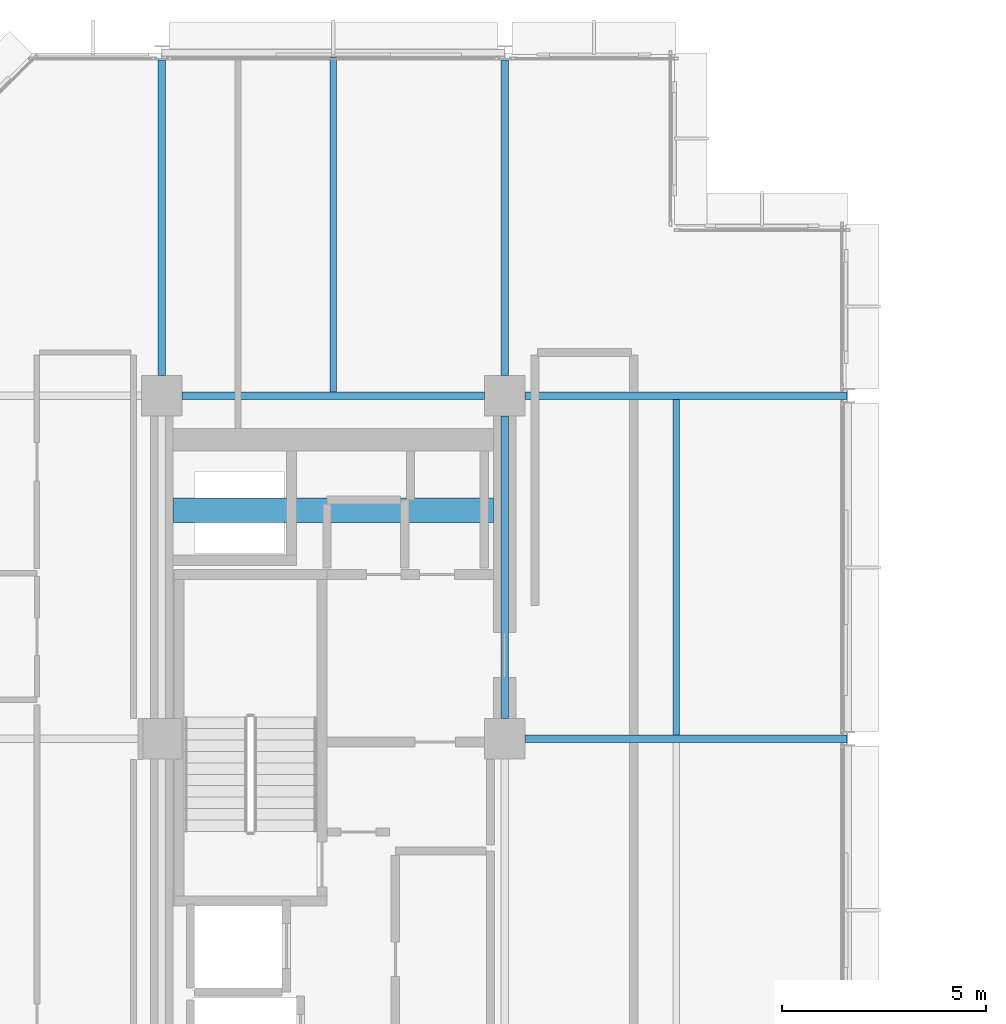
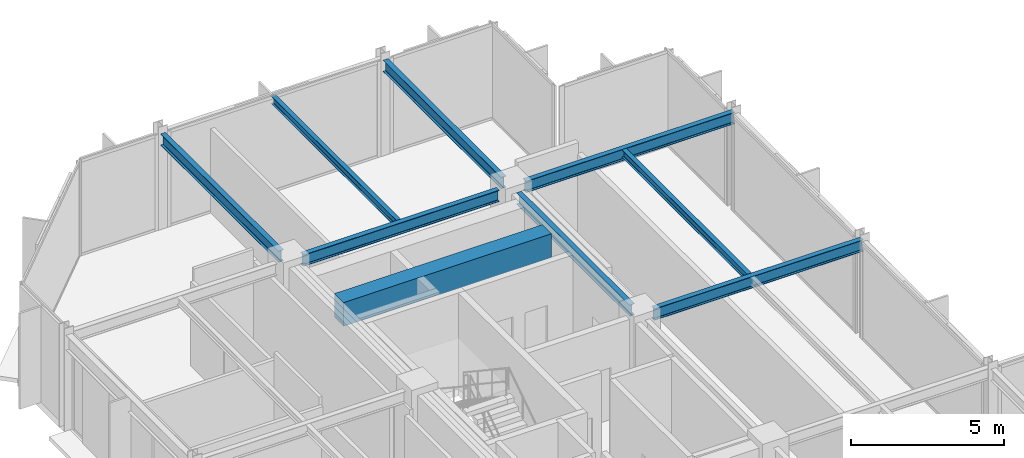
# One storey, part 18 of 30: 9 beams.
"""IFC4 building model written with IfcOpenShell, lengths in metres."""

import ifcopenshell
import ifcopenshell.guid

model = None  # the IFC model being written
_history = None  # IfcOwnerHistory: only IFC2X3 demands one
_inside = {}  # id of a spatial element -> (the spatial element, [elements in it])
_under = {}  # id of a project, library or spatial element -> (it, [spatial elements below it])
_declared = {}  # id of a project -> (the project, [libraries it declares])
_typed = {}  # id of a type object -> (the type object, [elements of that type])
_made_of = {}  # id of a material, layer set ... -> (it, [elements and type objects made of it])


def new_model(schema):
    """Start an empty IFC model of exactly this schema.

    Asked for "IFC4X3", IfcOpenShell would pick the latest addendum, in which some entities
    have other attributes; the version numbers below select the first issue.
    IFC2X3 requires an IfcOwnerHistory on every rooted entity: one is made here for all.
    """
    global model, _history
    if schema == "IFC4X3":
        model = ifcopenshell.file(schema_version=(4, 3, 0, 0))
    else:
        model = ifcopenshell.file(schema=schema)
    _inside.clear()
    _under.clear()
    _declared.clear()
    _typed.clear()
    _made_of.clear()
    _history = None
    if model.schema == "IFC2X3":
        org = make("IfcOrganization", Name="unknown")
        user = make(
            "IfcPersonAndOrganization",
            ThePerson=make("IfcPerson", FamilyName="unknown"),
            TheOrganization=org,
        )
        app = make(
            "IfcApplication",
            ApplicationDeveloper=org,
            Version="unknown",
            ApplicationFullName="unknown",
            ApplicationIdentifier="unknown",
        )
        _history = make(
            "IfcOwnerHistory",
            OwningUser=user,
            OwningApplication=app,
            ChangeAction="ADDED",
            CreationDate=0,
        )
    return model


def make(cls, **values):
    """One entity of the class cls with the attributes given. An attribute that is None is left unset."""
    return model.create_entity(
        cls, **{name: value for name, value in values.items() if value is not None}
    )


def rooted(cls, **values):
    """An entity with a GlobalId (a new one), such as an element, a storey or a relation."""
    return make(cls, GlobalId=ifcopenshell.guid.new(), OwnerHistory=_history, **values)


def si_unit(unit_type, name, prefix=None):
    """IfcSIUnit, for example si_unit("LENGTHUNIT", "METRE", prefix="MILLI")."""
    return make("IfcSIUnit", UnitType=unit_type, Prefix=prefix, Name=name)


def assignment(units):
    """IfcUnitAssignment: the units of a project."""
    return None if units is None else make("IfcUnitAssignment", Units=units)


def point(xyz):
    """IfcCartesianPoint."""
    return None if xyz is None else make("IfcCartesianPoint", Coordinates=xyz)


def direction(xyz):
    """IfcDirection."""
    return None if xyz is None else make("IfcDirection", DirectionRatios=xyz)


def frame(location, z_axis=None, x_axis=None):
    """IfcAxis2Placement3D, a coordinate frame: its origin and axes. An axis left out is left unset."""
    return make(
        "IfcAxis2Placement3D",
        Location=point(location),
        Axis=direction(z_axis),
        RefDirection=direction(x_axis),
    )


def frame_2d(location, x_axis=None):
    """IfcAxis2Placement2D, a coordinate frame in the plane: its origin and x axis."""
    return make(
        "IfcAxis2Placement2D", Location=point(location), RefDirection=direction(x_axis)
    )


def origin():
    """The frame at (0, 0, 0) with its axes left unset."""
    return frame((0.0, 0.0, 0.0))


def origin_2d():
    """The frame at (0, 0) in the plane with its x axis left unset."""
    return frame_2d((0.0, 0.0))


def place(relative_to, where):
    """IfcLocalPlacement: puts the frame where relative to a parent placement (None: the world)."""
    return make(
        "IfcLocalPlacement", PlacementRelTo=relative_to, RelativePlacement=where
    )


def context(
    kind, dimensions, precision=None, world=None, true_north=None, identifier=None
):
    """IfcGeometricRepresentationContext, for example the 3D "Model" context."""
    return make(
        "IfcGeometricRepresentationContext",
        ContextIdentifier=identifier,
        ContextType=kind,
        CoordinateSpaceDimension=dimensions,
        Precision=precision,
        WorldCoordinateSystem=world,
        TrueNorth=true_north,
    )


def subcontext(parent, identifier, kind, view, scale=None):
    """IfcGeometricRepresentationSubContext, for example "Body" below "Model"."""
    return make(
        "IfcGeometricRepresentationSubContext",
        ContextIdentifier=identifier,
        ContextType=kind,
        ParentContext=parent,
        TargetScale=scale,
        TargetView=view,
    )


def project(units=None, contexts=None):
    """IfcProject with its units and contexts."""
    return rooted(
        "IfcProject",
        Name="project",
        RepresentationContexts=contexts,
        UnitsInContext=assignment(units),
    )


def spatial(cls, under=None, at=None, **own):
    """A site, building, storey or space (cls), placed at a placement, below another one or the project."""
    s = rooted(cls, ObjectPlacement=at, **own)
    if under is not None:
        _under.setdefault(under.id(), (under, []))[1].append(s)
    return s


def profile(cls, at=None, kind="AREA", **sizes):
    """A parametric profile (cls). Its sizes go by their IFC names, for example OverallWidth=200.0."""
    return make(cls, ProfileType=kind, Position=at, **sizes)


def rectangle(**sizes):
    """IfcRectangleProfileDef."""
    return profile("IfcRectangleProfileDef", **sizes)


def i_section(**sizes):
    """IfcIShapeProfileDef."""
    return profile("IfcIShapeProfileDef", **sizes)


def extrude(swept, where, along, depth):
    """IfcExtrudedAreaSolid: the profile swept, set in the frame where, extruded along a direction by depth."""
    return make(
        "IfcExtrudedAreaSolid",
        SweptArea=swept,
        Position=where,
        ExtrudedDirection=direction(along),
        Depth=depth,
    )


def shape(context_of_items, identifier, shape_type, items):
    """IfcShapeRepresentation: the items that make up one representation, for example the "Body"."""
    return make(
        "IfcShapeRepresentation",
        ContextOfItems=context_of_items,
        RepresentationIdentifier=identifier,
        RepresentationType=shape_type,
        Items=items,
    )


def material(Name=None, Category=None):
    """IfcMaterial."""
    return make("IfcMaterial", Name=Name, Category=Category)


def material_profile(
    of_material, cross_section, Name=None, Category=None, Priority=None
):
    """IfcMaterialProfile: a cross section and its material."""
    return make(
        "IfcMaterialProfile",
        Name=Name,
        Material=of_material,
        Profile=cross_section,
        Priority=Priority,
        Category=Category,
    )


def profile_set(profiles, Name=None, composite=None):
    """IfcMaterialProfileSet."""
    return make(
        "IfcMaterialProfileSet",
        Name=Name,
        MaterialProfiles=profiles,
        CompositeProfile=composite,
    )


def made_of(thing, what):
    """Note that an element or type object is made of a material, layer set ...; save() writes the relation."""
    if what is not None:
        _made_of.setdefault(what.id(), (what, []))[1].append(thing)
    return thing


def type_object(cls, material=None, **own):
    """A type object (cls), such as IfcWallType, which elements share."""
    return made_of(rooted(cls, **own), material)


def element(
    cls,
    number,
    at=None,
    inside=None,
    cuts=None,
    type_object=None,
    material=None,
    context=None,
    identifier="Body",
    shape_type=None,
    held_by="IfcProductDefinitionShape",
    body=None,
    shapes=None,
    **own,
):
    """One element of the class cls, such as IfcWall. Its Tag is "e" and its number.

    at: its placement. inside: the storey or other place that contains it. cuts: it is an
    opening in that element (IfcRelVoidsElement). A single representation is given by context,
    identifier, shape_type and body (its items); several are given by shapes. held_by: the class
    of the entity that holds the representations. save() writes the other relations.
    """
    e = rooted(cls, Tag="e%d" % number, ObjectPlacement=at, **own)
    if body is not None:
        shapes = [shape(context, identifier, shape_type, body)]
    if shapes is not None:
        e.Representation = make(held_by, Representations=shapes)
    if inside is not None:
        _inside.setdefault(inside.id(), (inside, []))[1].append(e)
    if cuts is not None:
        rooted(
            "IfcRelVoidsElement", RelatingBuildingElement=cuts, RelatedOpeningElement=e
        )
    if type_object is not None:
        _typed.setdefault(type_object.id(), (type_object, []))[1].append(e)
    return made_of(e, material)


def aggregate(whole, parts):
    """IfcRelAggregates: a whole, such as a stair, and the parts it consists of."""
    return rooted("IfcRelAggregates", RelatingObject=whole, RelatedObjects=parts)


def save(model, path):
    """Write the relations noted so far, then the file.

    IfcRelAggregates (storeys below a building ...), IfcRelContainedInSpatialStructure (elements
    in a storey), IfcRelDefinesByType, IfcRelAssociatesMaterial and IfcRelDeclares: one each for
    every whole, place, type object, material and project.
    """
    for whole, parts in _under.values():
        aggregate(whole, parts)
    for where, things in _inside.values():
        rooted(
            "IfcRelContainedInSpatialStructure",
            RelatedElements=things,
            RelatingStructure=where,
        )
    for kind, things in _typed.values():
        rooted("IfcRelDefinesByType", RelatedObjects=things, RelatingType=kind)
    for what, things in _made_of.values():
        rooted("IfcRelAssociatesMaterial", RelatedObjects=things, RelatingMaterial=what)
    for by, libraries in _declared.values():
        rooted("IfcRelDeclares", RelatingContext=by, RelatedDefinitions=libraries)
    model.write(path)


model = new_model("IFC4")

# Units and contexts
model_context = context("Model", 3, precision=1e-05, world=origin(), true_north=direction((0.0, 1.0)))
body_context = subcontext(model_context, "Body", "Model", "MODEL_VIEW")
ifc_project = project(units=[si_unit("LENGTHUNIT", "METRE"), si_unit("AREAUNIT", "SQUARE_METRE"), si_unit("VOLUMEUNIT", "CUBIC_METRE"), si_unit("PLANEANGLEUNIT", "RADIAN"), si_unit("MASSUNIT", "GRAM", prefix="KILO")], contexts=[model_context])

# Site, building, storey
site_placement = place(None, origin())
site = spatial("IfcSite", under=ifc_project, at=site_placement, CompositionType="ELEMENT")
building_placement = place(site_placement, origin())
building = spatial("IfcBuilding", under=site, at=building_placement, Name="Nerrivon Quay Data Exchange", CompositionType="ELEMENT")
storey_placement = place(building_placement, frame((0.0, 0.0, 171.39990234375)))
storey = spatial("IfcBuildingStorey", under=building, at=storey_placement, Name="L40", CompositionType="ELEMENT", Elevation=171.39990234375)

# Beams
ifc_material_1 = material(Name="Concrete N50 (50 MPa)", Category="concrete")
ifc_material_profile_1 = material_profile(ifc_material_1, rectangle(XDim=0.60009765625, YDim=0.949951171875, at=origin_2d()), Name="RC-CB-600x950")
ifc_profile_set_1 = profile_set([ifc_material_profile_1], Name="Concrete N50 (50 MPa)")
beam_type_1 = type_object("IfcBeamType", Name="BM-CB2-600x950", PredefinedType="LINTEL", material=ifc_profile_set_1)
beam_1_placement = place(storey_placement, frame((8.675048828125, 39.199951171875, 3.35009765625), z_axis=(1.0, 0.0, 0.0), x_axis=(0.0, 1.0, 0.0)))
element("IfcBeam", 1, at=beam_1_placement, inside=storey, type_object=beam_type_1, Name="L40 West Core Coupling Beam", PredefinedType="LINTEL", context=body_context, shape_type="SweptSolid", body=[
    extrude(rectangle(XDim=0.60009765625, YDim=0.949951171875, at=origin_2d()), origin(), (0.0, 0.0, 1.0), 7.849853515625),
])
ifc_material_2 = material(Name="Steel Grade 350", Category="steel")
ifc_material_profile_2 = material_profile(ifc_material_2, i_section(OverallWidth=0.19091796875, OverallDepth=0.4599609375, WebThickness=0.010009765625, FlangeThickness=0.01611328125, FilletRadius=0.011474609375, at=origin_2d()), Name="460UB82.1")
ifc_profile_set_2 = profile_set([ifc_material_profile_2], Name="Steel Grade 350")
beam_type_2 = type_object("IfcBeamType", Name="BM-G5-460UB82", PredefinedType="BEAM", material=ifc_profile_set_2)
beam_2_placement = place(storey_placement, frame((17.300048828125, 33.60009765625, 3.59521484375), z_axis=(1.0, 0.0, 0.0), x_axis=(0.0, 1.0, 0.0)))
element("IfcBeam", 2, at=beam_2_placement, inside=storey, type_object=beam_type_2, Name="L40 EW Girder Y=33.6 (16.8..25.2)", PredefinedType="BEAM", context=body_context, shape_type="SweptSolid", body=[
    extrude(i_section(OverallWidth=0.19091796875, OverallDepth=0.4599609375, WebThickness=0.010009765625, FlangeThickness=0.01611328125, FilletRadius=0.011474609375, at=origin_2d()), origin(), (0.0, 0.0, 1.0), 7.889892578125),
])
beam_3_placement = place(storey_placement, frame((8.89990234375, 42.0, 3.59521484375), z_axis=(1.0, 0.0, 0.0), x_axis=(0.0, 1.0, 0.0)))
element("IfcBeam", 3, at=beam_3_placement, inside=storey, type_object=beam_type_2, Name="L40 EW Girder Y=42.0 (8.4..16.8)", PredefinedType="BEAM", context=body_context, shape_type="SweptSolid", body=[
    extrude(i_section(OverallWidth=0.19091796875, OverallDepth=0.4599609375, WebThickness=0.010009765625, FlangeThickness=0.01611328125, FilletRadius=0.011474609375, at=origin_2d()), origin(), (0.0, 0.0, 1.0), 7.400146484375),
])
beam_4_placement = place(storey_placement, frame((17.300048828125, 42.0, 3.59521484375), z_axis=(1.0, 0.0, 0.0), x_axis=(0.0, 1.0, 0.0)))
element("IfcBeam", 4, at=beam_4_placement, inside=storey, type_object=beam_type_2, Name="L40 EW Girder Y=42.0 (16.8..25.2)", PredefinedType="BEAM", context=body_context, shape_type="SweptSolid", body=[
    extrude(i_section(OverallWidth=0.19091796875, OverallDepth=0.4599609375, WebThickness=0.010009765625, FlangeThickness=0.01611328125, FilletRadius=0.011474609375, at=origin_2d()), origin(), (0.0, 0.0, 1.0), 7.889892578125),
])
ifc_material_profile_3 = material_profile(ifc_material_2, i_section(OverallWidth=0.18994140625, OverallDepth=0.4541015625, WebThickness=0.008544921875, FlangeThickness=0.0126953125, FilletRadius=0.011474609375, at=origin_2d()), Name="460UB67.1")
ifc_profile_set_3 = profile_set([ifc_material_profile_3], Name="Steel Grade 350")
beam_type_3 = type_object("IfcBeamType", Name="BM-G6-460UB67", PredefinedType="BEAM", material=ifc_profile_set_3)
beam_5_placement = place(storey_placement, frame((8.39990234375, 42.5, 3.59814453125), z_axis=(0.0, 1.0, 0.0), x_axis=(-1.0, 0.0, 0.0)))
element("IfcBeam", 5, at=beam_5_placement, inside=storey, type_object=beam_type_3, Name="L40 NS Girder X=8.4 (42.0..50.4)", PredefinedType="BEAM", context=body_context, shape_type="SweptSolid", body=[
    extrude(i_section(OverallWidth=0.18994140625, OverallDepth=0.4541015625, WebThickness=0.008544921875, FlangeThickness=0.0126953125, FilletRadius=0.011474609375, at=origin_2d()), origin(), (0.0, 0.0, 1.0), 7.72509765625),
])
beam_6_placement = place(storey_placement, frame((16.800048828125, 34.10009765625, 3.59814453125), z_axis=(0.0, 1.0, 0.0), x_axis=(-1.0, 0.0, 0.0)))
element("IfcBeam", 6, at=beam_6_placement, inside=storey, type_object=beam_type_3, Name="L40 NS Girder X=16.8 (33.6..42.0)", PredefinedType="BEAM", context=body_context, shape_type="SweptSolid", body=[
    extrude(i_section(OverallWidth=0.18994140625, OverallDepth=0.4541015625, WebThickness=0.008544921875, FlangeThickness=0.0126953125, FilletRadius=0.011474609375, at=origin_2d()), origin(), (0.0, 0.0, 1.0), 7.39990234375),
])
beam_7_placement = place(storey_placement, frame((16.800048828125, 42.5, 3.59814453125), z_axis=(0.0, 1.0, 0.0), x_axis=(-1.0, 0.0, 0.0)))
element("IfcBeam", 7, at=beam_7_placement, inside=storey, type_object=beam_type_3, Name="L40 NS Girder X=16.8 (42.0..50.4)", PredefinedType="BEAM", context=body_context, shape_type="SweptSolid", body=[
    extrude(i_section(OverallWidth=0.18994140625, OverallDepth=0.4541015625, WebThickness=0.008544921875, FlangeThickness=0.0126953125, FilletRadius=0.011474609375, at=origin_2d()), origin(), (0.0, 0.0, 1.0), 7.72509765625),
])
ifc_material_profile_4 = material_profile(ifc_material_2, i_section(OverallWidth=0.166015625, OverallDepth=0.306884765625, WebThickness=0.006591796875, FlangeThickness=0.01171875, FilletRadius=0.011474609375, at=origin_2d()), Name="310UB46.2")
ifc_profile_set_4 = profile_set([ifc_material_profile_4], Name="Steel Grade 350")
beam_type_4 = type_object("IfcBeamType", Name="BM-J5-310UB46", PredefinedType="JOIST", material=ifc_profile_set_4)
beam_8_placement = place(storey_placement, frame((12.60009765625, 42.095458984375, 3.671630859375), z_axis=(0.0, 1.0, 0.0), x_axis=(-1.0, 0.0, 0.0)))
element("IfcBeam", 8, at=beam_8_placement, inside=storey, type_object=beam_type_4, Name="L40 Secondary Joist X=12.6 (42.0..50.4)", PredefinedType="JOIST", context=body_context, shape_type="SweptSolid", body=[
    extrude(i_section(OverallWidth=0.166015625, OverallDepth=0.306884765625, WebThickness=0.006591796875, FlangeThickness=0.01171875, FilletRadius=0.011474609375, at=origin_2d()), origin(), (0.0, 0.0, 1.0), 8.20458984375),
])
beam_9_placement = place(storey_placement, frame((21.0, 33.695556640625, 3.671630859375), z_axis=(0.0, 1.0, 0.0), x_axis=(-1.0, 0.0, 0.0)))
element("IfcBeam", 9, at=beam_9_placement, inside=storey, type_object=beam_type_4, Name="L40 Secondary Joist X=21.0 (33.6..42.0)", PredefinedType="JOIST", context=body_context, shape_type="SweptSolid", body=[
    extrude(i_section(OverallWidth=0.166015625, OverallDepth=0.306884765625, WebThickness=0.006591796875, FlangeThickness=0.01171875, FilletRadius=0.011474609375, at=origin_2d()), origin(), (0.0, 0.0, 1.0), 8.208984375),
])

save(model, "model.ifc")
